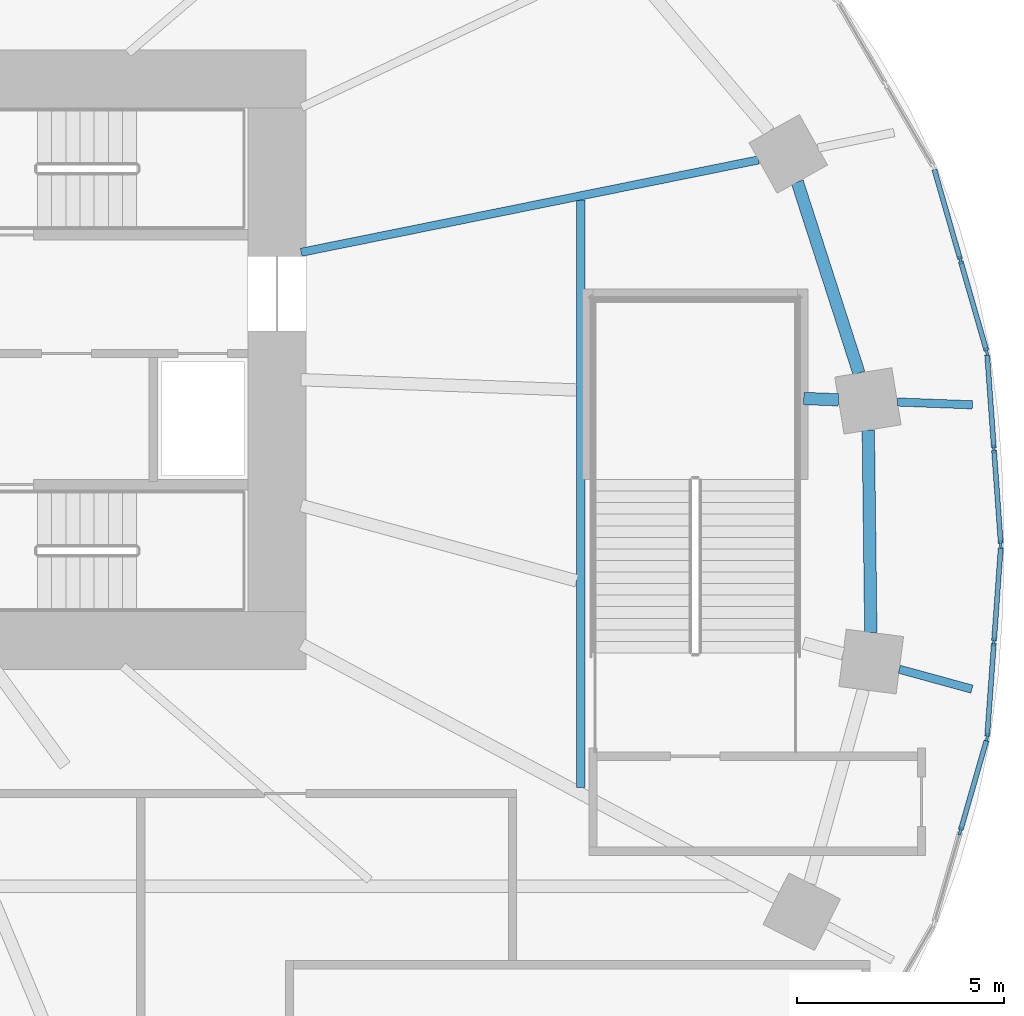
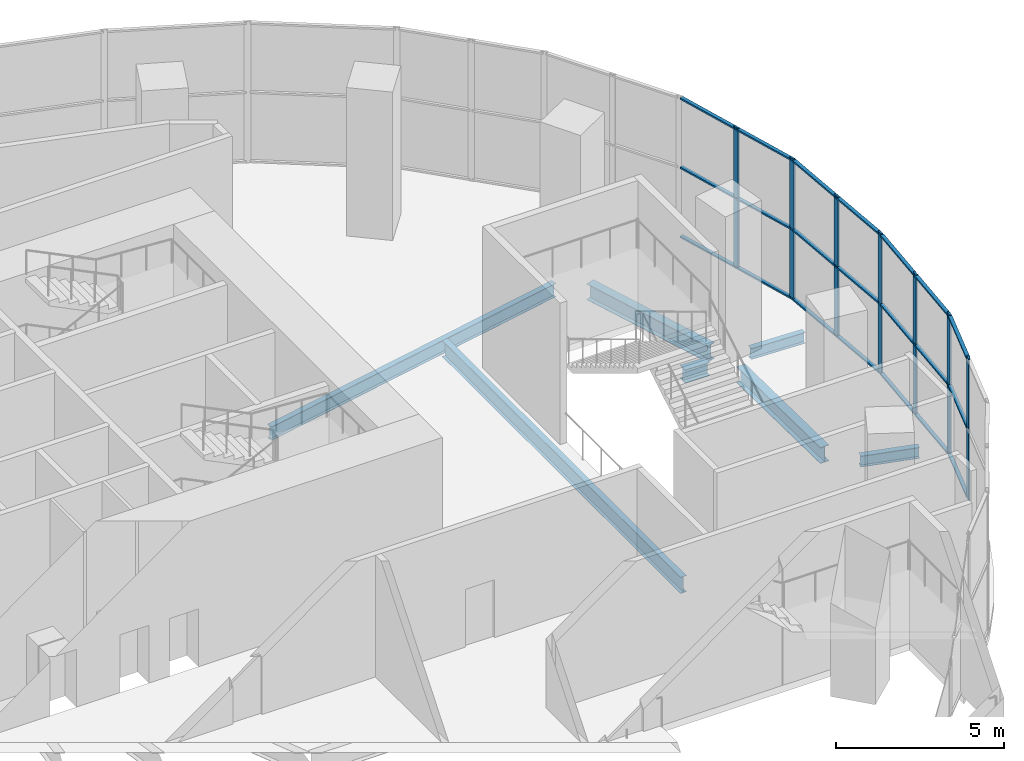
# One storey, part 6 of 20: 28 members, 7 beams, 4 elements without a shape of their own.
"""IFC4 building model written with IfcOpenShell, lengths in metres."""

from ifc_helpers import new_model, si_unit, direction, frame, origin, origin_2d, place, context, subcontext, project, spatial, rectangle, i_section, extrude, material, material_profile, profile_set, type_object, element, aggregate, save


model = new_model("IFC4")

# Units and contexts
model_context = context("Model", 3, precision=1e-05, world=origin(), true_north=direction((0.0, 1.0)))
body_context = subcontext(model_context, "Body", "Model", "MODEL_VIEW")
ifc_project = project(units=[si_unit("LENGTHUNIT", "METRE"), si_unit("AREAUNIT", "SQUARE_METRE"), si_unit("VOLUMEUNIT", "CUBIC_METRE"), si_unit("PLANEANGLEUNIT", "RADIAN"), si_unit("MASSUNIT", "GRAM", prefix="KILO")], contexts=[model_context])

# Site, building, storey
site_placement = place(None, origin())
site = spatial("IfcSite", under=ifc_project, at=site_placement, CompositionType="ELEMENT")
building_placement = place(site_placement, origin())
building = spatial("IfcBuilding", under=site, at=building_placement, Name="Rubra Terraces Tower", CompositionType="ELEMENT")
storey_placement = place(building_placement, frame((0.0, 0.0, 22.800048828125)))
storey = spatial("IfcBuildingStorey", under=building, at=storey_placement, Name="L03", CompositionType="ELEMENT", Elevation=22.800048828125)

# Beams
ifc_material_1 = material(Name="Steel Q355B", Category="steel")
ifc_material_profile_1 = material_profile(ifc_material_1, i_section(OverallWidth=0.199951171875, OverallDepth=0.39990234375, WebThickness=0.008056640625, FlangeThickness=0.012939453125, at=origin_2d()), Name="HN 400x200x8x13")
ifc_profile_set_1 = profile_set([ifc_material_profile_1], Name="Steel Q355B")
beam_type_1 = type_object("IfcBeamType", Name="CANTILEVER BEAM HN 400x200x8x13", PredefinedType="BEAM", material=ifc_profile_set_1)
beam_1_placement = place(storey_placement, frame((27.319091796875, 3.47607421875, -0.449951171875), z_axis=(0.999296482656, -0.037503863151, 0.0), x_axis=(0.037503863151, 0.999296482656, 0.0)))
element("IfcBeam", 1, at=beam_1_placement, inside=storey, type_object=beam_type_1, Name="beam-L03-cant-01", PredefinedType="BEAM", context=body_context, shape_type="SweptSolid", body=[
    extrude(i_section(OverallWidth=0.199951171875, OverallDepth=0.39990234375, WebThickness=0.008056640625, FlangeThickness=0.012939453125, at=origin_2d()), origin(), (0.0, 0.0, 1.0), 1.816162109375),
])
beam_2_placement = place(storey_placement, frame((27.365966796875, -2.9951171875, -0.449951171875), z_axis=(0.964481687863, -0.264149718489, 0.0), x_axis=(0.264149718489, 0.964481687863, 0.0)))
element("IfcBeam", 2, at=beam_2_placement, inside=storey, type_object=beam_type_1, Name="beam-L03-cant-24", PredefinedType="BEAM", context=body_context, shape_type="SweptSolid", body=[
    extrude(i_section(OverallWidth=0.199951171875, OverallDepth=0.39990234375, WebThickness=0.008056640625, FlangeThickness=0.012939453125, at=origin_2d()), origin(), (0.0, 0.0, 1.0), 1.82080078125),
])
ifc_material_profile_2 = material_profile(ifc_material_1, i_section(OverallWidth=0.300048828125, OverallDepth=0.48193359375, WebThickness=0.010986328125, FlangeThickness=0.014892578125, at=origin_2d()), Name="HM 482x300x11x15")
ifc_profile_set_2 = profile_set([ifc_material_profile_2], Name="Steel Q355B")
beam_type_2 = type_object("IfcBeamType", Name="FLOOR BEAM HM 482x300x11x15", PredefinedType="BEAM", material=ifc_profile_set_2)
beam_3_placement = place(storey_placement, frame((25.89111328125, 3.530029296875, -0.490966796875), z_axis=(-0.999321176912, 0.036839996943, 0.0), x_axis=(-0.036839996943, -0.999321176912, 0.0)))
element("IfcBeam", 3, at=beam_3_placement, inside=storey, type_object=beam_type_2, Name="beam-L03-floor-01-a", PredefinedType="BEAM", context=body_context, shape_type="SweptSolid", body=[
    extrude(i_section(OverallWidth=0.300048828125, OverallDepth=0.48193359375, WebThickness=0.010986328125, FlangeThickness=0.014892578125, at=origin_2d()), origin(), (0.0, 0.0, 1.0), 0.841552734375),
])
ifc_material_profile_3 = material_profile(ifc_material_1, i_section(OverallWidth=0.198974609375, OverallDepth=0.49609375, WebThickness=0.009033203125, FlangeThickness=0.013916015625, at=origin_2d()), Name="HN 496x199x9x14")
ifc_profile_set_3 = profile_set([ifc_material_profile_3], Name="Steel Q355B")
beam_type_3 = type_object("IfcBeamType", Name="FLOOR BEAM HN 496x199x9x14", PredefinedType="BEAM", material=ifc_profile_set_3)
beam_4_placement = place(storey_placement, frame((23.9560546875, 9.337890625, -0.498046875), z_axis=(-0.980204035637, -0.197990021264, 0.0), x_axis=(0.197990021264, -0.980204035637, 0.0)))
element("IfcBeam", 4, at=beam_4_placement, inside=storey, type_object=beam_type_3, Name="beam-L03-floor-02", PredefinedType="BEAM", context=body_context, shape_type="SweptSolid", body=[
    extrude(i_section(OverallWidth=0.198974609375, OverallDepth=0.49609375, WebThickness=0.009033203125, FlangeThickness=0.013916015625, at=origin_2d()), origin(), (0.0, 0.0, 1.0), 11.297607421875),
])

# Curtain wall, members
ifc_material_2 = material(Name="Aluminium and glass", Category="aluminium")
curtain_wall_type = type_object("IfcCurtainWallType", Name="Curtain wall Podium glazing", PredefinedType="NOTDEFINED", material=ifc_material_2)
curtain_wall_1_placement = place(storey_placement, origin())
curtain_wall_1 = element("IfcCurtainWall", 5, at=curtain_wall_1_placement, inside=storey, type_object=curtain_wall_type, Name="L03 glazing bay 1", PredefinedType="NOTDEFINED")
ifc_material_3 = material(Name="Aluminium, anodised dark grey", Category="aluminium")
ifc_material_profile_4 = material_profile(ifc_material_3, rectangle(XDim=0.06005859375, YDim=0.199951171875, at=origin_2d()), Name="AL 60x200")
ifc_profile_set_4 = profile_set([ifc_material_profile_4], Name="Aluminium, anodised dark grey")
member_type_1 = type_object("IfcMemberType", Name="Podium glazing mullion 60 x 200", PredefinedType="MULLION", material=ifc_profile_set_4)
member_1_placement = place(storey_placement, frame((29.822998046875, 0.0244140625, 0.0), z_axis=(0.0, 0.0, 1.0), x_axis=(-0.997419621076, -0.071792057306, 0.0)))
member_1 = element("IfcMember", 6, at=member_1_placement, type_object=member_type_1, Name="CW1 mullion 1", PredefinedType="MULLION", context=body_context, shape_type="SweptSolid", body=[
    extrude(rectangle(XDim=0.06005859375, YDim=0.199951171875, at=origin_2d()), origin(), (0.0, 0.0, 1.0), 5.14990234375),
])
member_2_placement = place(storey_placement, frame((29.65673828125, 2.335693359375, 0.0), z_axis=(0.0, 0.0, 1.0), x_axis=(-0.997419621076, -0.071792057306, 0.0)))
member_2 = element("IfcMember", 7, at=member_2_placement, type_object=member_type_1, Name="CW1 mullion 2", PredefinedType="MULLION", context=body_context, shape_type="SweptSolid", body=[
    extrude(rectangle(XDim=0.06005859375, YDim=0.199951171875, at=origin_2d()), origin(), (0.0, 0.0, 1.0), 5.14990234375),
])

curtain_wall_2_placement = place(storey_placement, origin())
curtain_wall_2 = element("IfcCurtainWall", 8, at=curtain_wall_2_placement, inside=storey, type_object=curtain_wall_type, Name="L03 glazing bay 2", PredefinedType="NOTDEFINED")
member_3_placement = place(storey_placement, frame((29.482666015625, 4.690185546875, 0.0), z_axis=(0.0, 0.0, 1.0), x_axis=(-0.961047339404, -0.276383811798, 0.0)))
member_3 = element("IfcMember", 9, at=member_3_placement, type_object=member_type_1, Name="CW1 mullion 1", PredefinedType="MULLION", context=body_context, shape_type="SweptSolid", body=[
    extrude(rectangle(XDim=0.06005859375, YDim=0.199951171875, at=origin_2d()), origin(), (0.0, 0.0, 1.0), 5.14990234375),
])
member_4_placement = place(storey_placement, frame((28.843505859375, 6.912841796875, 0.0), z_axis=(0.0, 0.0, 1.0), x_axis=(-0.961047339404, -0.276383811798, 0.0)))
member_4 = element("IfcMember", 10, at=member_4_placement, type_object=member_type_1, Name="CW1 mullion 2", PredefinedType="MULLION", context=body_context, shape_type="SweptSolid", body=[
    extrude(rectangle(XDim=0.06005859375, YDim=0.199951171875, at=origin_2d()), origin(), (0.0, 0.0, 1.0), 5.14990234375),
])

# Curtain wall, member
curtain_wall_3_placement = place(storey_placement, origin())
curtain_wall_3 = element("IfcCurtainWall", 11, at=curtain_wall_3_placement, inside=storey, type_object=curtain_wall_type, Name="L03 glazing bay 39", PredefinedType="NOTDEFINED")
member_5_placement = place(storey_placement, frame((28.843505859375, -6.912841796875, 0.0), z_axis=(0.0, 0.0, 1.0), x_axis=(-0.961047339404, 0.276383811798, 0.0)))
member_5 = element("IfcMember", 12, at=member_5_placement, type_object=member_type_1, Name="CW1 mullion 2", PredefinedType="MULLION", context=body_context, shape_type="SweptSolid", body=[
    extrude(rectangle(XDim=0.06005859375, YDim=0.199951171875, at=origin_2d()), origin(), (0.0, 0.0, 1.0), 5.14990234375),
])

# Curtain wall, members
curtain_wall_4_placement = place(storey_placement, origin())
curtain_wall_4 = element("IfcCurtainWall", 13, at=curtain_wall_4_placement, inside=storey, type_object=curtain_wall_type, Name="L03 glazing bay 40", PredefinedType="NOTDEFINED")
member_6_placement = place(storey_placement, frame((29.490234375, -4.646728515625, 0.0), z_axis=(0.0, 0.0, 1.0), x_axis=(-0.997419621076, 0.071792057306, 0.0)))
member_6 = element("IfcMember", 14, at=member_6_placement, type_object=member_type_1, Name="CW1 mullion 1", PredefinedType="MULLION", context=body_context, shape_type="SweptSolid", body=[
    extrude(rectangle(XDim=0.06005859375, YDim=0.199951171875, at=origin_2d()), origin(), (0.0, 0.0, 1.0), 5.14990234375),
])
member_7_placement = place(storey_placement, frame((29.65673828125, -2.335693359375, 0.0), z_axis=(0.0, 0.0, 1.0), x_axis=(-0.997419621076, 0.071792057306, 0.0)))
member_7 = element("IfcMember", 15, at=member_7_placement, type_object=member_type_1, Name="CW1 mullion 2", PredefinedType="MULLION", context=body_context, shape_type="SweptSolid", body=[
    extrude(rectangle(XDim=0.06005859375, YDim=0.199951171875, at=origin_2d()), origin(), (0.0, 0.0, 1.0), 5.14990234375),
])

# Member
ifc_material_profile_5 = material_profile(ifc_material_3, rectangle(XDim=0.1201171875, YDim=0.06005859375, at=origin_2d()), Name="AL 120x60")
ifc_profile_set_5 = profile_set([ifc_material_profile_5], Name="Aluminium, anodised dark grey")
member_type_2 = type_object("IfcMemberType", Name="Podium glazing transom 120 x 60", PredefinedType="USERDEFINED", material=ifc_profile_set_5)
member_8_placement = place(storey_placement, frame((29.82080078125, 0.054443359375, 0.06005859375), z_axis=(-0.071715956886, 0.997425095698, 0.0), x_axis=(-0.997425095698, -0.071715956886, 0.0)))
member_8 = element("IfcMember", 16, at=member_8_placement, type_object=member_type_2, Name="CW1 transom 1.1", ObjectType="TRANSOM", PredefinedType="USERDEFINED", context=body_context, shape_type="SweptSolid", body=[
    extrude(rectangle(XDim=0.1201171875, YDim=0.06005859375, at=origin_2d()), origin(), (0.0, 0.0, 1.0), 2.257080078125),
])

member_9_placement = place(storey_placement, frame((29.82080078125, 0.054443359375, 2.574951171875), z_axis=(-0.071715956886, 0.997425095698, 0.0), x_axis=(-0.997425095698, -0.071715956886, 0.0)))
member_9 = element("IfcMember", 17, at=member_9_placement, type_object=member_type_2, Name="CW1 transom 1.2", ObjectType="TRANSOM", PredefinedType="USERDEFINED", context=body_context, shape_type="SweptSolid", body=[
    extrude(rectangle(XDim=0.1201171875, YDim=0.06005859375, at=origin_2d()), origin(), (0.0, 0.0, 1.0), 2.257080078125),
])

member_10_placement = place(storey_placement, frame((29.82080078125, 0.054443359375, 5.08984375), z_axis=(-0.071715956886, 0.997425095698, 0.0), x_axis=(-0.997425095698, -0.071715956886, 0.0)))
member_10 = element("IfcMember", 18, at=member_10_placement, type_object=member_type_2, Name="CW1 transom 1.3", ObjectType="TRANSOM", PredefinedType="USERDEFINED", context=body_context, shape_type="SweptSolid", body=[
    extrude(rectangle(XDim=0.1201171875, YDim=0.06005859375, at=origin_2d()), origin(), (0.0, 0.0, 1.0), 2.257080078125),
])

member_11_placement = place(storey_placement, frame((29.654541015625, 2.365478515625, 0.06005859375), z_axis=(-0.071823568166, 0.997417352494, 0.0), x_axis=(-0.997417352494, -0.071823568166, 0.0)))
member_11 = element("IfcMember", 19, at=member_11_placement, type_object=member_type_2, Name="CW1 transom 2.1", ObjectType="TRANSOM", PredefinedType="USERDEFINED", context=body_context, shape_type="SweptSolid", body=[
    extrude(rectangle(XDim=0.1201171875, YDim=0.06005859375, at=origin_2d()), origin(), (0.0, 0.0, 1.0), 2.257080078125),
])

member_12_placement = place(storey_placement, frame((29.654541015625, 2.365478515625, 2.574951171875), z_axis=(-0.071823568166, 0.997417352494, 0.0), x_axis=(-0.997417352494, -0.071823568166, 0.0)))
member_12 = element("IfcMember", 20, at=member_12_placement, type_object=member_type_2, Name="CW1 transom 2.2", ObjectType="TRANSOM", PredefinedType="USERDEFINED", context=body_context, shape_type="SweptSolid", body=[
    extrude(rectangle(XDim=0.1201171875, YDim=0.06005859375, at=origin_2d()), origin(), (0.0, 0.0, 1.0), 2.257080078125),
])

member_13_placement = place(storey_placement, frame((29.654541015625, 2.365478515625, 5.08984375), z_axis=(-0.071823568166, 0.997417352494, 0.0), x_axis=(-0.997417352494, -0.071823568166, 0.0)))
member_13 = element("IfcMember", 21, at=member_13_placement, type_object=member_type_2, Name="CW1 transom 2.3", ObjectType="TRANSOM", PredefinedType="USERDEFINED", context=body_context, shape_type="SweptSolid", body=[
    extrude(rectangle(XDim=0.1201171875, YDim=0.06005859375, at=origin_2d()), origin(), (0.0, 0.0, 1.0), 2.257080078125),
])

aggregate(curtain_wall_1, [member_1, member_2, member_8, member_9, member_10, member_11, member_12, member_13])

member_14_placement = place(storey_placement, frame((29.474365234375, 4.718994140625, 0.06005859375), z_axis=(-0.276352469421, 0.961056352481, 0.0), x_axis=(-0.961056352481, -0.276352469421, 0.0)))
member_14 = element("IfcMember", 22, at=member_14_placement, type_object=member_type_2, Name="CW1 transom 1.1", ObjectType="TRANSOM", PredefinedType="USERDEFINED", context=body_context, shape_type="SweptSolid", body=[
    extrude(rectangle(XDim=0.1201171875, YDim=0.06005859375, at=origin_2d()), origin(), (0.0, 0.0, 1.0), 2.252685546875),
])

member_15_placement = place(storey_placement, frame((29.474365234375, 4.718994140625, 2.574951171875), z_axis=(-0.276352469421, 0.961056352481, 0.0), x_axis=(-0.961056352481, -0.276352469421, 0.0)))
member_15 = element("IfcMember", 23, at=member_15_placement, type_object=member_type_2, Name="CW1 transom 1.2", ObjectType="TRANSOM", PredefinedType="USERDEFINED", context=body_context, shape_type="SweptSolid", body=[
    extrude(rectangle(XDim=0.1201171875, YDim=0.06005859375, at=origin_2d()), origin(), (0.0, 0.0, 1.0), 2.252685546875),
])

member_16_placement = place(storey_placement, frame((29.474365234375, 4.718994140625, 5.08984375), z_axis=(-0.276352469421, 0.961056352481, 0.0), x_axis=(-0.961056352481, -0.276352469421, 0.0)))
member_16 = element("IfcMember", 24, at=member_16_placement, type_object=member_type_2, Name="CW1 transom 1.3", ObjectType="TRANSOM", PredefinedType="USERDEFINED", context=body_context, shape_type="SweptSolid", body=[
    extrude(rectangle(XDim=0.1201171875, YDim=0.06005859375, at=origin_2d()), origin(), (0.0, 0.0, 1.0), 2.252685546875),
])

member_17_placement = place(storey_placement, frame((28.835205078125, 6.941650390625, 0.06005859375), z_axis=(-0.276452561882, 0.961027565177, 0.0), x_axis=(-0.961027565177, -0.276452561882, 0.0)))
member_17 = element("IfcMember", 25, at=member_17_placement, type_object=member_type_2, Name="CW1 transom 2.1", ObjectType="TRANSOM", PredefinedType="USERDEFINED", context=body_context, shape_type="SweptSolid", body=[
    extrude(rectangle(XDim=0.1201171875, YDim=0.06005859375, at=origin_2d()), origin(), (0.0, 0.0, 1.0), 2.2529296875),
])

member_18_placement = place(storey_placement, frame((28.835205078125, 6.941650390625, 2.574951171875), z_axis=(-0.276452561882, 0.961027565177, 0.0), x_axis=(-0.961027565177, -0.276452561882, 0.0)))
member_18 = element("IfcMember", 26, at=member_18_placement, type_object=member_type_2, Name="CW1 transom 2.2", ObjectType="TRANSOM", PredefinedType="USERDEFINED", context=body_context, shape_type="SweptSolid", body=[
    extrude(rectangle(XDim=0.1201171875, YDim=0.06005859375, at=origin_2d()), origin(), (0.0, 0.0, 1.0), 2.2529296875),
])

member_19_placement = place(storey_placement, frame((28.835205078125, 6.941650390625, 5.08984375), z_axis=(-0.276452561882, 0.961027565177, 0.0), x_axis=(-0.961027565177, -0.276452561882, 0.0)))
member_19 = element("IfcMember", 27, at=member_19_placement, type_object=member_type_2, Name="CW1 transom 2.3", ObjectType="TRANSOM", PredefinedType="USERDEFINED", context=body_context, shape_type="SweptSolid", body=[
    extrude(rectangle(XDim=0.1201171875, YDim=0.06005859375, at=origin_2d()), origin(), (0.0, 0.0, 1.0), 2.2529296875),
])

aggregate(curtain_wall_2, [member_3, member_4, member_14, member_15, member_16, member_17, member_18, member_19])

member_20_placement = place(storey_placement, frame((28.851806640625, -6.884033203125, 0.06005859375), z_axis=(0.276352469421, 0.961056352481, 0.0), x_axis=(-0.961056352481, 0.276352469421, 0.0)))
member_20 = element("IfcMember", 28, at=member_20_placement, type_object=member_type_2, Name="CW1 transom 2.1", ObjectType="TRANSOM", PredefinedType="USERDEFINED", context=body_context, shape_type="SweptSolid", body=[
    extrude(rectangle(XDim=0.1201171875, YDim=0.06005859375, at=origin_2d()), origin(), (0.0, 0.0, 1.0), 2.252685546875),
])

member_21_placement = place(storey_placement, frame((28.851806640625, -6.884033203125, 2.574951171875), z_axis=(0.276352469421, 0.961056352481, 0.0), x_axis=(-0.961056352481, 0.276352469421, 0.0)))
member_21 = element("IfcMember", 29, at=member_21_placement, type_object=member_type_2, Name="CW1 transom 2.2", ObjectType="TRANSOM", PredefinedType="USERDEFINED", context=body_context, shape_type="SweptSolid", body=[
    extrude(rectangle(XDim=0.1201171875, YDim=0.06005859375, at=origin_2d()), origin(), (0.0, 0.0, 1.0), 2.252685546875),
])

member_22_placement = place(storey_placement, frame((28.851806640625, -6.884033203125, 5.08984375), z_axis=(0.276352469421, 0.961056352481, 0.0), x_axis=(-0.961056352481, 0.276352469421, 0.0)))
member_22 = element("IfcMember", 30, at=member_22_placement, type_object=member_type_2, Name="CW1 transom 2.3", ObjectType="TRANSOM", PredefinedType="USERDEFINED", context=body_context, shape_type="SweptSolid", body=[
    extrude(rectangle(XDim=0.1201171875, YDim=0.06005859375, at=origin_2d()), origin(), (0.0, 0.0, 1.0), 2.252685546875),
])

aggregate(curtain_wall_3, [member_5, member_20, member_21, member_22])

member_23_placement = place(storey_placement, frame((29.492431640625, -4.61669921875, 0.06005859375), z_axis=(0.071823568166, 0.997417352494, 0.0), x_axis=(-0.997417352494, 0.071823568166, 0.0)))
member_23 = element("IfcMember", 31, at=member_23_placement, type_object=member_type_2, Name="CW1 transom 1.1", ObjectType="TRANSOM", PredefinedType="USERDEFINED", context=body_context, shape_type="SweptSolid", body=[
    extrude(rectangle(XDim=0.1201171875, YDim=0.06005859375, at=origin_2d()), origin(), (0.0, 0.0, 1.0), 2.257080078125),
])

member_24_placement = place(storey_placement, frame((29.492431640625, -4.61669921875, 2.574951171875), z_axis=(0.071823568166, 0.997417352494, 0.0), x_axis=(-0.997417352494, 0.071823568166, 0.0)))
member_24 = element("IfcMember", 32, at=member_24_placement, type_object=member_type_2, Name="CW1 transom 1.2", ObjectType="TRANSOM", PredefinedType="USERDEFINED", context=body_context, shape_type="SweptSolid", body=[
    extrude(rectangle(XDim=0.1201171875, YDim=0.06005859375, at=origin_2d()), origin(), (0.0, 0.0, 1.0), 2.257080078125),
])

member_25_placement = place(storey_placement, frame((29.492431640625, -4.61669921875, 5.08984375), z_axis=(0.071823568166, 0.997417352494, 0.0), x_axis=(-0.997417352494, 0.071823568166, 0.0)))
member_25 = element("IfcMember", 33, at=member_25_placement, type_object=member_type_2, Name="CW1 transom 1.3", ObjectType="TRANSOM", PredefinedType="USERDEFINED", context=body_context, shape_type="SweptSolid", body=[
    extrude(rectangle(XDim=0.1201171875, YDim=0.06005859375, at=origin_2d()), origin(), (0.0, 0.0, 1.0), 2.257080078125),
])

member_26_placement = place(storey_placement, frame((29.658935546875, -2.3056640625, 0.06005859375), z_axis=(0.071715956886, 0.997425095698, 0.0), x_axis=(-0.997425095698, 0.071715956886, 0.0)))
member_26 = element("IfcMember", 34, at=member_26_placement, type_object=member_type_2, Name="CW1 transom 2.1", ObjectType="TRANSOM", PredefinedType="USERDEFINED", context=body_context, shape_type="SweptSolid", body=[
    extrude(rectangle(XDim=0.1201171875, YDim=0.06005859375, at=origin_2d()), origin(), (0.0, 0.0, 1.0), 2.257080078125),
])

member_27_placement = place(storey_placement, frame((29.658935546875, -2.3056640625, 2.574951171875), z_axis=(0.071715956886, 0.997425095698, 0.0), x_axis=(-0.997425095698, 0.071715956886, 0.0)))
member_27 = element("IfcMember", 35, at=member_27_placement, type_object=member_type_2, Name="CW1 transom 2.2", ObjectType="TRANSOM", PredefinedType="USERDEFINED", context=body_context, shape_type="SweptSolid", body=[
    extrude(rectangle(XDim=0.1201171875, YDim=0.06005859375, at=origin_2d()), origin(), (0.0, 0.0, 1.0), 2.257080078125),
])

member_28_placement = place(storey_placement, frame((29.658935546875, -2.3056640625, 5.08984375), z_axis=(0.071715956886, 0.997425095698, 0.0), x_axis=(-0.997425095698, 0.071715956886, 0.0)))
member_28 = element("IfcMember", 36, at=member_28_placement, type_object=member_type_2, Name="CW1 transom 2.3", ObjectType="TRANSOM", PredefinedType="USERDEFINED", context=body_context, shape_type="SweptSolid", body=[
    extrude(rectangle(XDim=0.1201171875, YDim=0.06005859375, at=origin_2d()), origin(), (0.0, 0.0, 1.0), 2.257080078125),
])

aggregate(curtain_wall_4, [member_6, member_7, member_23, member_24, member_25, member_26, member_27, member_28])

# Beams
ifc_material_profile_6 = material_profile(ifc_material_1, i_section(OverallWidth=0.300048828125, OverallDepth=0.587890625, WebThickness=0.011962890625, FlangeThickness=0.02001953125, at=origin_2d()), Name="HM 588x300x12x20")
ifc_profile_set_6 = profile_set([ifc_material_profile_6], Name="Steel Q355B")
beam_type_4 = type_object("IfcBeamType", Name="SPANDREL BEAM HM 588x300x12x20", PredefinedType="SPANDREL", material=ifc_profile_set_6)
beam_5_placement = place(storey_placement, frame((26.387939453125, 4.177001953125, -0.5439453125), z_axis=(-0.30706880261, 0.951687317591, 0.0), x_axis=(-0.951687317591, -0.30706880261, 0.0)))
element("IfcBeam", 37, at=beam_5_placement, inside=storey, type_object=beam_type_4, Name="beam-L03-spandrel-01", PredefinedType="SPANDREL", context=body_context, shape_type="SweptSolid", body=[
    extrude(i_section(OverallWidth=0.300048828125, OverallDepth=0.587890625, WebThickness=0.011962890625, FlangeThickness=0.02001953125, at=origin_2d()), origin(), (0.0, 0.0, 1.0), 4.86181640625),
])
beam_6_placement = place(storey_placement, frame((26.675048828125, -2.10107421875, -0.5439453125), z_axis=(-0.012465372298, 0.999922304228, 0.0), x_axis=(-0.999922304228, -0.012465372298, 0.0)))
element("IfcBeam", 38, at=beam_6_placement, inside=storey, type_object=beam_type_4, Name="beam-L03-spandrel-24", PredefinedType="SPANDREL", context=body_context, shape_type="SweptSolid", body=[
    extrude(i_section(OverallWidth=0.300048828125, OverallDepth=0.587890625, WebThickness=0.011962890625, FlangeThickness=0.02001953125, at=origin_2d()), origin(), (0.0, 0.0, 1.0), 4.896484375),
])
ifc_material_profile_7 = material_profile(ifc_material_1, i_section(OverallWidth=0.198974609375, OverallDepth=0.595947265625, WebThickness=0.010009765625, FlangeThickness=0.014892578125, at=origin_2d()), Name="HN 596x199x10x15")
ifc_profile_set_7 = profile_set([ifc_material_profile_7], Name="Steel Q355B")
beam_type_5 = type_object("IfcBeamType", Name="TRIMMER BEAM HN 596x199x10x15", PredefinedType="BEAM", material=ifc_profile_set_7)
beam_7_placement = place(storey_placement, frame((19.64990234375, -5.85400390625, -0.548095703125), z_axis=(0.0, 1.0, 0.0), x_axis=(-1.0, 0.0, 0.0)))
element("IfcBeam", 39, at=beam_7_placement, inside=storey, type_object=beam_type_5, Name="beam-L03-header-2-xlo", PredefinedType="BEAM", context=body_context, shape_type="SweptSolid", body=[
    extrude(i_section(OverallWidth=0.198974609375, OverallDepth=0.595947265625, WebThickness=0.010009765625, FlangeThickness=0.014892578125, at=origin_2d()), origin(), (0.0, 0.0, 1.0), 14.222900390625),
])

save(model, "model.ifc")
